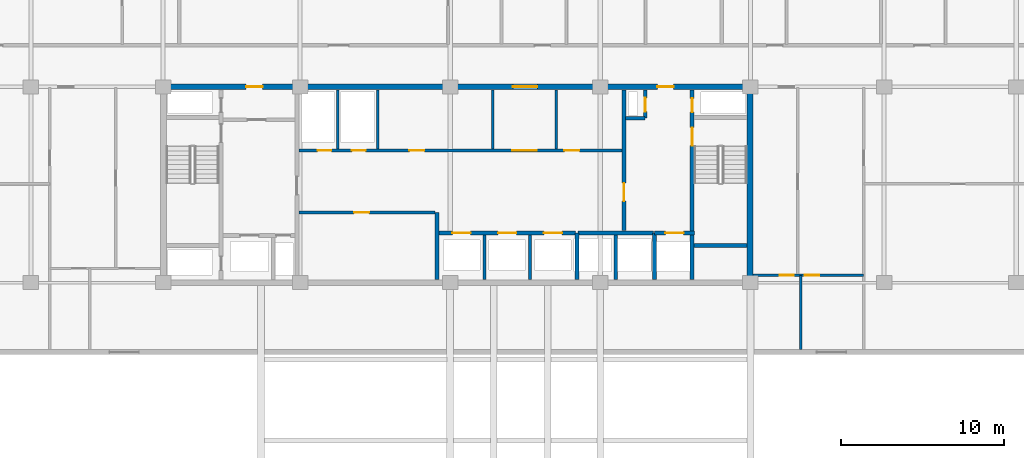
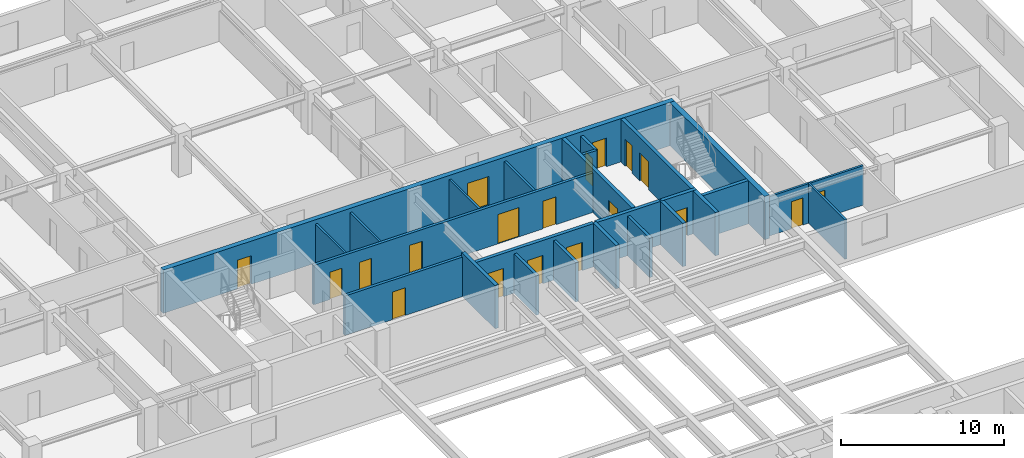
# One storey, part 11 of 21: 24 walls, 19 doors, 19 openings.
"""IFC4 building model written with IfcOpenShell, lengths in metres."""

from ifc_helpers import new_model, si_unit, direction, frame, frame_2d, origin, place, context, subcontext, project, spatial, rectangle, extrude, material, layer, layer_set, type_object, element, fill, save


model = new_model("IFC4")

# Units and contexts
model_context = context("Model", 3, precision=1e-05, world=origin(), true_north=direction((0.0, 1.0)))
body_context = subcontext(model_context, "Body", "Model", "MODEL_VIEW")
ifc_project = project(units=[si_unit("LENGTHUNIT", "METRE"), si_unit("AREAUNIT", "SQUARE_METRE"), si_unit("VOLUMEUNIT", "CUBIC_METRE"), si_unit("PLANEANGLEUNIT", "RADIAN"), si_unit("MASSUNIT", "GRAM", prefix="KILO")], contexts=[model_context])

# Site, building, storey
site_placement = place(None, origin())
site = spatial("IfcSite", under=ifc_project, at=site_placement, CompositionType="ELEMENT")
building_placement = place(site_placement, origin())
building = spatial("IfcBuilding", under=site, at=building_placement, Name="Korimba Cascade Residences", CompositionType="ELEMENT")
storey_placement = place(building_placement, frame((0.0, 0.0, 136.050048828125)))
storey = spatial("IfcBuildingStorey", under=building, at=storey_placement, Name="L39", CompositionType="ELEMENT", Elevation=136.050048828125)

# Wall
ifc_material_1 = material(Name="Concrete C65/80", Category="concrete")
ifc_layer_1 = layer(ifc_material_1, 0.35009765625)
ifc_layer_set_1 = layer_set([ifc_layer_1], Name="Concrete C65/80")
wall_type_1 = type_object("IfcWallType", Name="WAL-CORE-350", PredefinedType="SHEAR", material=ifc_layer_set_1)
wall_1_placement = place(storey_placement, frame((112.074951171875, 55.375, 0.0), z_axis=(0.0, 0.0, 1.0), x_axis=(0.0, 1.0, 0.0)))
element("IfcWall", 1, at=wall_1_placement, inside=storey, type_object=wall_type_1, Name="L39 Core Shear Wall CW-L39-T1-E", PredefinedType="SHEAR", context=body_context, shape_type="SweptSolid", body=[
    extrude(rectangle(XDim=11.64990234375, YDim=0.35009765625, at=frame_2d((5.824951171875, 0.0))), origin(), (0.0, 0.0, 1.0), 3.25),
])

# Wall, openings, doors
wall_2_placement = place(storey_placement, frame((75.949951171875, 67.199951171875, 0.0), z_axis=(0.0, 0.0, 1.0), x_axis=(1.0, 0.0, 0.0)))
wall_2 = element("IfcWall", 2, at=wall_2_placement, inside=storey, type_object=wall_type_1, Name="L39 Core Shear Wall CW-L39-T1-N", PredefinedType="SHEAR", context=body_context, shape_type="SweptSolid", body=[
    extrude(rectangle(XDim=36.300048828125, YDim=0.35009765625, at=frame_2d((18.14990234375, 0.0))), origin(), (0.0, 0.0, 1.0), 3.25),
])
opening_1_placement = place(wall_2_placement, frame((5.25, 0.0, 0.0)))
opening_1 = element("IfcOpeningElement", 3, at=opening_1_placement, cuts=wall_2, Name="Opening D-FD5", PredefinedType="OPENING", context=body_context, shape_type="SweptSolid", body=[
    extrude(rectangle(XDim=1.0, YDim=2.14990234375, at=frame_2d((0.5, 1.074951171875))), frame((0.0, 0.18505859375, 0.0), z_axis=(0.0, -1.0, 0.0), x_axis=(1.0, 0.0, 0.0)), (0.0, 0.0, 1.0), 0.3701171875),
])
opening_2_placement = place(wall_2_placement, frame((21.60009765625, 0.0, 0.0)))
opening_2 = element("IfcOpeningElement", 4, at=opening_2_placement, cuts=wall_2, Name="Opening D-FD8", PredefinedType="OPENING", context=body_context, shape_type="SweptSolid", body=[
    extrude(rectangle(XDim=1.5, YDim=2.199951171875, at=frame_2d((0.75, 1.10009765625))), frame((0.0, 0.18505859375, 0.0), z_axis=(0.0, -1.0, 0.0), x_axis=(1.0, 0.0, 0.0)), (0.0, 0.0, 1.0), 0.3701171875),
])
opening_3_placement = place(wall_2_placement, frame((30.449951171875, 0.0, 0.0)))
opening_3 = element("IfcOpeningElement", 5, at=opening_3_placement, cuts=wall_2, Name="Opening D-FD5", PredefinedType="OPENING", context=body_context, shape_type="SweptSolid", body=[
    extrude(rectangle(XDim=1.0, YDim=2.14990234375, at=frame_2d((0.5, 1.074951171875))), frame((0.0, 0.18505859375, 0.0), z_axis=(0.0, -1.0, 0.0), x_axis=(1.0, 0.0, 0.0)), (0.0, 0.0, 1.0), 0.3701171875),
])
ifc_material_2 = material(Name="Fire-Rated Acoustic Timber Vestibule Door", Category="wood")
door_type_1 = type_object("IfcDoorType", Name="DR-FD90-1000", OperationType="NOTDEFINED", PredefinedType="DOOR", material=ifc_material_2)
door_1_placement = place(opening_1_placement, origin())
door_1 = element("IfcDoor", 6, at=door_1_placement, inside=storey, type_object=door_type_1, Name="L39 T1 West Core Vestibule Fire Door", OperationType="SINGLE_SWING_LEFT", OverallHeight=2.14990234375, OverallWidth=1.0, PredefinedType="DOOR", context=body_context, shape_type="SweptSolid", body=[
    extrude(rectangle(XDim=1.0, YDim=2.14990234375, at=frame_2d((0.5, 1.074951171875))), frame((0.0, 0.02490234375, 0.0), z_axis=(0.0, -1.0, 0.0), x_axis=(1.0, 0.0, 0.0)), (0.0, 0.0, 1.0), 0.050048828125),
])
fill(opening_1, door_1)
door_2_placement = place(opening_3_placement, origin())
door_2 = element("IfcDoor", 7, at=door_2_placement, inside=storey, type_object=door_type_1, Name="L39 T1 East Firefighting Vestibule Fire Door", OperationType="SINGLE_SWING_RIGHT", OverallHeight=2.14990234375, OverallWidth=1.0, PredefinedType="DOOR", context=body_context, shape_type="SweptSolid", body=[
    extrude(rectangle(XDim=1.0, YDim=2.14990234375, at=frame_2d((0.5, 1.074951171875))), frame((0.0, 0.02490234375, 0.0), z_axis=(0.0, -1.0, 0.0), x_axis=(1.0, 0.0, 0.0)), (0.0, 0.0, 1.0), 0.050048828125),
])
fill(opening_3, door_2)
ifc_material_3 = material(Name="Fire-Rated Glazed Lift Lobby Double Door", Category="glass")
door_type_2 = type_object("IfcDoorType", Name="DR-FD90-1500", OperationType="NOTDEFINED", PredefinedType="DOOR", material=ifc_material_3)
door_3_placement = place(opening_2_placement, origin())
door_3 = element("IfcDoor", 8, at=door_3_placement, inside=storey, type_object=door_type_2, Name="L39 T1 Lift Lobby Fire Door", OperationType="DOUBLE_DOOR_SINGLE_SWING", OverallHeight=2.199951171875, OverallWidth=1.5, PredefinedType="DOOR", context=body_context, shape_type="SweptSolid", body=[
    extrude(rectangle(XDim=1.5, YDim=2.199951171875, at=frame_2d((0.75, 1.10009765625))), frame((0.0, 0.02490234375, 0.0), z_axis=(0.0, -1.0, 0.0), x_axis=(1.0, 0.0, 0.0)), (0.0, 0.0, 1.0), 0.050048828125),
])
fill(opening_2, door_3)

# Walls
ifc_material_4 = material(Name="Insulated Acoustic Stud Partition", Category="gypsum")
ifc_layer_2 = layer(ifc_material_4, 0.14990234375)
ifc_layer_set_2 = layer_set([ifc_layer_2], Name="Insulated Acoustic Stud Partition")
wall_type_2 = type_object("IfcWallType", Name="WAL-PART-150", PredefinedType="PARTITIONING", material=ifc_layer_set_2)
for number, where, z_axis, x_axis, name in (
    (9, (86.800048828125, 63.39990234375, 0.0), (0.0, 0.0, 1.0), (0.0, 1.0, 0.0), "L39 Partition Wall CW-L39-T1-ERDIV"),
    (10, (89.25, 63.39990234375, 0.0), (0.0, 0.0, 1.0), (0.0, 1.0, 0.0), "L39 Partition Wall CW-L39-T1-PRDIV"),
    (11, (96.300048828125, 63.39990234375, 0.0), (0.0, 0.0, 1.0), (0.0, 1.0, 0.0), "L39 Partition Wall CW-L39-T1-THW"),
    (12, (100.199951171875, 63.39990234375, 0.0), (0.0, 0.0, 1.0), (0.0, 1.0, 0.0), "L39 Partition Wall CW-L39-T1-THE"),
):
    element("IfcWall", number, at=place(storey_placement, frame(where, z_axis=z_axis, x_axis=x_axis)), inside=storey, type_object=wall_type_2, Name=name, PredefinedType="PARTITIONING", context=body_context, shape_type="SweptSolid", body=[
        extrude(rectangle(XDim=3.60009765625, YDim=0.14990234375, at=frame_2d((1.800048828125, 0.0))), origin(), (0.0, 0.0, 1.0), 2.9599609375),
    ])
wall_3_placement = place(storey_placement, frame((115.199951171875, 51.10009765625, 0.0), z_axis=(0.0, 0.0, 1.0), x_axis=(0.0, 1.0, 0.0)))
element("IfcWall", 13, at=wall_3_placement, inside=storey, type_object=wall_type_2, Name="L39 Partition Wall WAL-L39-T1-FE-VS", PredefinedType="PARTITIONING", context=body_context, shape_type="SweptSolid", body=[
    extrude(rectangle(XDim=4.5498046875, YDim=0.14990234375, at=frame_2d((2.27490234375, 0.0))), origin(), (0.0, 0.0, 1.0), 2.9599609375),
])

# Wall, openings, doors
wall_4_placement = place(storey_placement, frame((112.27001953125, 55.64990234375, 0.0), z_axis=(0.0, 0.0, 1.0), x_axis=(1.0, 0.0, 0.0)))
wall_4 = element("IfcWall", 14, at=wall_4_placement, inside=storey, type_object=wall_type_2, Name="L39 Partition Wall WAL-L39-T1-FE-H", PredefinedType="PARTITIONING", context=body_context, shape_type="SweptSolid", body=[
    extrude(rectangle(XDim=6.760009765625, YDim=0.14990234375, at=frame_2d((3.3798828125, 0.0))), origin(), (0.0, 0.0, 1.0), 2.9599609375),
])
opening_4_placement = place(wall_4_placement, frame((1.6396484375, 0.0, 0.0)))
opening_4 = element("IfcOpeningElement", 15, at=opening_4_placement, cuts=wall_4, Name="Opening D-BT1", PredefinedType="OPENING", context=body_context, shape_type="SweptSolid", body=[
    extrude(rectangle(XDim=0.840087890625, YDim=2.0400390625, at=frame_2d((0.419921875, 1.02001953125))), frame((0.0, 0.0849609375, 0.0), z_axis=(0.0, -1.0, 0.0), x_axis=(1.0, 0.0, 0.0)), (0.0, 0.0, 1.0), 0.169921875),
])
opening_5_placement = place(wall_4_placement, frame((3.160400390625, 0.0, 0.0)))
opening_5 = element("IfcOpeningElement", 16, at=opening_5_placement, cuts=wall_4, Name="Opening D-IN2", PredefinedType="OPENING", context=body_context, shape_type="SweptSolid", body=[
    extrude(rectangle(XDim=0.8798828125, YDim=2.06005859375, at=frame_2d((0.43994140625, 1.030029296875))), frame((0.0, 0.0849609375, 0.0), z_axis=(0.0, -1.0, 0.0), x_axis=(1.0, 0.0, 0.0)), (0.0, 0.0, 1.0), 0.169921875),
])
ifc_material_5 = material(Name="Moisture-Resistant Bathroom Timber Door", Category="wood")
door_type_3 = type_object("IfcDoorType", Name="DR-INT-850", OperationType="NOTDEFINED", PredefinedType="DOOR", material=ifc_material_5)
door_4_placement = place(opening_4_placement, origin())
door_4 = element("IfcDoor", 17, at=door_4_placement, inside=storey, type_object=door_type_3, Name="L39-T1-FE Bathroom Door", OperationType="SINGLE_SWING_LEFT", OverallHeight=2.0400390625, OverallWidth=0.840087890625, PredefinedType="DOOR", context=body_context, shape_type="SweptSolid", body=[
    extrude(rectangle(XDim=0.840087890625, YDim=2.0400390625, at=frame_2d((0.419921875, 1.02001953125))), frame((0.0, 0.02490234375, 0.0), z_axis=(0.0, -1.0, 0.0), x_axis=(1.0, 0.0, 0.0)), (0.0, 0.0, 1.0), 0.050048828125),
])
fill(opening_4, door_4)
ifc_material_6 = material(Name="Acoustic Timber Bedroom Door", Category="wood")
door_type_4 = type_object("IfcDoorType", Name="DR-INT-880", OperationType="NOTDEFINED", PredefinedType="DOOR", material=ifc_material_6)
door_5_placement = place(opening_5_placement, origin())
door_5 = element("IfcDoor", 18, at=door_5_placement, inside=storey, type_object=door_type_4, Name="L39-T1-FE Bedroom Door", OperationType="SINGLE_SWING_RIGHT", OverallHeight=2.06005859375, OverallWidth=0.8798828125, PredefinedType="DOOR", context=body_context, shape_type="SweptSolid", body=[
    extrude(rectangle(XDim=0.8798828125, YDim=2.06005859375, at=frame_2d((0.43994140625, 1.030029296875))), frame((0.0, 0.02490234375, 0.0), z_axis=(0.0, -1.0, 0.0), x_axis=(1.0, 0.0, 0.0)), (0.0, 0.0, 1.0), 0.050048828125),
])
fill(opening_5, door_5)

# Wall, opening, door
ifc_material_7 = material(Name="Concrete C40/50", Category="concrete")
ifc_layer_3 = layer(ifc_material_7, 0.199951171875)
ifc_layer_set_3 = layer_set([ifc_layer_3], Name="Concrete C40/50")
wall_type_3 = type_object("IfcWallType", Name="WAL-PART-200", PredefinedType="PARTITIONING", material=ifc_layer_set_3)
wall_5_placement = place(storey_placement, frame((84.419921875, 59.5, 0.0), z_axis=(0.0, 0.0, 1.0), x_axis=(1.0, 0.0, 0.0)))
wall_5 = element("IfcWall", 19, at=wall_5_placement, inside=storey, type_object=wall_type_3, Name="L39 Partition Wall CW-L39-T1-B1RN", PredefinedType="PARTITIONING", context=body_context, shape_type="SweptSolid", body=[
    extrude(rectangle(XDim=8.360107421875, YDim=0.199951171875, at=frame_2d((4.18017578125, 0.0))), origin(), (0.0, 0.0, 1.0), 2.9599609375),
])
opening_6_placement = place(wall_5_placement, frame((3.39990234375, 0.0, 0.0)))
opening_6 = element("IfcOpeningElement", 20, at=opening_6_placement, cuts=wall_5, Name="Opening D-ST1", PredefinedType="OPENING", context=body_context, shape_type="SweptSolid", body=[
    extrude(rectangle(XDim=0.919921875, YDim=2.080078125, at=frame_2d((0.4599609375, 1.0400390625))), frame((0.0, 0.10986328125, 0.0), z_axis=(0.0, -1.0, 0.0), x_axis=(1.0, 0.0, 0.0)), (0.0, 0.0, 1.0), 0.219970703125),
])
ifc_material_8 = material(Name="Fire-Rated Core Store Door", Category="wood")
door_type_5 = type_object("IfcDoorType", Name="DR-FD60-920", OperationType="NOTDEFINED", PredefinedType="DOOR", material=ifc_material_8)
door_6_placement = place(opening_6_placement, origin())
door_6 = element("IfcDoor", 21, at=door_6_placement, inside=storey, type_object=door_type_5, Name="L39 Resident Storage Door", OperationType="SINGLE_SWING_LEFT", OverallHeight=2.080078125, OverallWidth=0.919921875, PredefinedType="DOOR", context=body_context, shape_type="SweptSolid", body=[
    extrude(rectangle(XDim=0.919921875, YDim=2.080078125, at=frame_2d((0.4599609375, 1.0400390625))), frame((0.0, 0.02490234375, 0.0), z_axis=(0.0, -1.0, 0.0), x_axis=(1.0, 0.0, 0.0)), (0.0, 0.0, 1.0), 0.050048828125),
])
fill(opening_6, door_6)

# Walls
for number, where, z_axis, x_axis, name in (
    (22, (95.800048828125, 55.39990234375, 0.0), (0.0, 0.0, 1.0), (0.0, 1.0, 0.0), "L39 Partition Wall CW-L39-T1-B2D1"),
    (23, (98.60009765625, 55.39990234375, 0.0), (0.0, 0.0, 1.0), (0.0, 1.0, 0.0), "L39 Partition Wall CW-L39-T1-B2D2"),
    (24, (103.85009765625, 55.39990234375, 0.0), (0.0, 0.0, 1.0), (0.0, 1.0, 0.0), "L39 Partition Wall CW-L39-T1-B3D1"),
):
    element("IfcWall", number, at=place(storey_placement, frame(where, z_axis=z_axis, x_axis=x_axis)), inside=storey, type_object=wall_type_3, Name=name, PredefinedType="PARTITIONING", context=body_context, shape_type="SweptSolid", body=[
        extrude(rectangle(XDim=2.72021484375, YDim=0.199951171875, at=frame_2d((1.360107421875, 0.0))), origin(), (0.0, 0.0, 1.0), 2.9599609375),
    ])

# Wall, openings, doors
wall_6_placement = place(storey_placement, frame((84.419921875, 63.300048828125, 0.0), z_axis=(0.0, 0.0, 1.0), x_axis=(1.0, 0.0, 0.0)))
wall_6 = element("IfcWall", 25, at=wall_6_placement, inside=storey, type_object=wall_type_3, Name="L39 Partition Wall CW-L39-T1-SRVROW", PredefinedType="PARTITIONING", context=body_context, shape_type="SweptSolid", body=[
    extrude(rectangle(XDim=19.830078125, YDim=0.199951171875, at=frame_2d((9.9150390625, 0.0))), origin(), (0.0, 0.0, 1.0), 2.9599609375),
])
opening_7_placement = place(wall_6_placement, frame((1.14990234375, 0.0, 0.0)))
opening_7 = element("IfcOpeningElement", 26, at=opening_7_placement, cuts=wall_6, Name="Opening D-RS1", PredefinedType="OPENING", context=body_context, shape_type="SweptSolid", body=[
    extrude(rectangle(XDim=0.85009765625, YDim=2.050048828125, at=frame_2d((0.425048828125, 1.02490234375))), frame((0.0, 0.10986328125, 0.0), z_axis=(0.0, -1.0, 0.0), x_axis=(1.0, 0.0, 0.0)), (0.0, 0.0, 1.0), 0.219970703125),
])
opening_8_placement = place(wall_6_placement, frame((3.25, 0.0, 0.0)))
opening_8 = element("IfcOpeningElement", 27, at=opening_8_placement, cuts=wall_6, Name="Opening D-RS1", PredefinedType="OPENING", context=body_context, shape_type="SweptSolid", body=[
    extrude(rectangle(XDim=0.85009765625, YDim=2.050048828125, at=frame_2d((0.425048828125, 1.02490234375))), frame((0.0, 0.10986328125, 0.0), z_axis=(0.0, -1.0, 0.0), x_axis=(1.0, 0.0, 0.0)), (0.0, 0.0, 1.0), 0.219970703125),
])
opening_9_placement = place(wall_6_placement, frame((13.080078125, 0.0, 0.0)))
opening_9 = element("IfcOpeningElement", 28, at=opening_9_placement, cuts=wall_6, Name="Opening D-FD8", PredefinedType="OPENING", context=body_context, shape_type="SweptSolid", body=[
    extrude(rectangle(XDim=1.5, YDim=2.199951171875, at=frame_2d((0.75, 1.10009765625))), frame((0.0, 0.10986328125, 0.0), z_axis=(0.0, -1.0, 0.0), x_axis=(1.0, 0.0, 0.0)), (0.0, 0.0, 1.0), 0.219970703125),
])
opening_10_placement = place(wall_6_placement, frame((6.780029296875, 0.0, 0.0)))
opening_10 = element("IfcOpeningElement", 29, at=opening_10_placement, cuts=wall_6, Name="Opening D-IN1", PredefinedType="OPENING", context=body_context, shape_type="SweptSolid", body=[
    extrude(rectangle(XDim=0.919921875, YDim=2.080078125, at=frame_2d((0.4599609375, 1.0400390625))), frame((0.0, 0.10986328125, 0.0), z_axis=(0.0, -1.0, 0.0), x_axis=(1.0, 0.0, 0.0)), (0.0, 0.0, 1.0), 0.219970703125),
])
opening_11_placement = place(wall_6_placement, frame((16.280029296875, 0.0, 0.0)))
opening_11 = element("IfcOpeningElement", 30, at=opening_11_placement, cuts=wall_6, Name="Opening D-IN1", PredefinedType="OPENING", context=body_context, shape_type="SweptSolid", body=[
    extrude(rectangle(XDim=0.919921875, YDim=2.080078125, at=frame_2d((0.4599609375, 1.0400390625))), frame((0.0, 0.10986328125, 0.0), z_axis=(0.0, -1.0, 0.0), x_axis=(1.0, 0.0, 0.0)), (0.0, 0.0, 1.0), 0.219970703125),
])
ifc_material_9 = material(Name="Fire-Rated Steel Riser Access Door", Category="steel")
door_type_6 = type_object("IfcDoorType", Name="DR-FD60-850", OperationType="NOTDEFINED", PredefinedType="DOOR", material=ifc_material_9)
door_7_placement = place(opening_7_placement, origin())
door_7 = element("IfcDoor", 31, at=door_7_placement, inside=storey, type_object=door_type_6, Name="L39 Electrical Riser Door", OperationType="SINGLE_SWING_RIGHT", OverallHeight=2.050048828125, OverallWidth=0.85009765625, PredefinedType="DOOR", context=body_context, shape_type="SweptSolid", body=[
    extrude(rectangle(XDim=0.85009765625, YDim=2.050048828125, at=frame_2d((0.425048828125, 1.02490234375))), frame((0.0, 0.02490234375, 0.0), z_axis=(0.0, -1.0, 0.0), x_axis=(1.0, 0.0, 0.0)), (0.0, 0.0, 1.0), 0.050048828125),
])
fill(opening_7, door_7)
door_8_placement = place(opening_8_placement, origin())
door_8 = element("IfcDoor", 32, at=door_8_placement, inside=storey, type_object=door_type_6, Name="L39 Plumbing Riser Door", OperationType="SINGLE_SWING_LEFT", OverallHeight=2.050048828125, OverallWidth=0.85009765625, PredefinedType="DOOR", context=body_context, shape_type="SweptSolid", body=[
    extrude(rectangle(XDim=0.85009765625, YDim=2.050048828125, at=frame_2d((0.425048828125, 1.02490234375))), frame((0.0, 0.02490234375, 0.0), z_axis=(0.0, -1.0, 0.0), x_axis=(1.0, 0.0, 0.0)), (0.0, 0.0, 1.0), 0.050048828125),
])
fill(opening_8, door_8)
door_9_placement = place(opening_9_placement, origin())
door_9 = element("IfcDoor", 33, at=door_9_placement, inside=storey, type_object=door_type_2, Name="L39 Lift Lobby Foyer Archway Door", OperationType="DOUBLE_DOOR_SINGLE_SWING", OverallHeight=2.199951171875, OverallWidth=1.5, PredefinedType="DOOR", context=body_context, shape_type="SweptSolid", body=[
    extrude(rectangle(XDim=1.5, YDim=2.199951171875, at=frame_2d((0.75, 1.10009765625))), frame((0.0, 0.02490234375, 0.0), z_axis=(0.0, -1.0, 0.0), x_axis=(1.0, 0.0, 0.0)), (0.0, 0.0, 1.0), 0.050048828125),
])
fill(opening_9, door_9)
ifc_material_10 = material(Name="Acoustic Timber Living Door", Category="wood")
door_type_7 = type_object("IfcDoorType", Name="DR-INT-920", OperationType="NOTDEFINED", PredefinedType="DOOR", material=ifc_material_10)
door_10_placement = place(opening_10_placement, origin())
door_10 = element("IfcDoor", 34, at=door_10_placement, inside=storey, type_object=door_type_7, Name="L39 Housekeeping Door", OperationType="SINGLE_SWING_RIGHT", OverallHeight=2.080078125, OverallWidth=0.919921875, PredefinedType="DOOR", context=body_context, shape_type="SweptSolid", body=[
    extrude(rectangle(XDim=0.919921875, YDim=2.080078125, at=frame_2d((0.4599609375, 1.0400390625))), frame((0.0, 0.02490234375, 0.0), z_axis=(0.0, -1.0, 0.0), x_axis=(1.0, 0.0, 0.0)), (0.0, 0.0, 1.0), 0.050048828125),
])
fill(opening_10, door_10)
door_11_placement = place(opening_11_placement, origin())
door_11 = element("IfcDoor", 35, at=door_11_placement, inside=storey, type_object=door_type_7, Name="L39 Store Door", OperationType="SINGLE_SWING_LEFT", OverallHeight=2.080078125, OverallWidth=0.919921875, PredefinedType="DOOR", context=body_context, shape_type="SweptSolid", body=[
    extrude(rectangle(XDim=0.919921875, YDim=2.080078125, at=frame_2d((0.4599609375, 1.0400390625))), frame((0.0, 0.02490234375, 0.0), z_axis=(0.0, -1.0, 0.0), x_axis=(1.0, 0.0, 0.0)), (0.0, 0.0, 1.0), 0.050048828125),
])
fill(opening_11, door_11)

# Wall
wall_7_placement = place(storey_placement, frame((104.449951171875, 65.280029296875, 0.0), z_axis=(0.0, 0.0, 1.0), x_axis=(1.0, 0.0, 0.0)))
element("IfcWall", 36, at=wall_7_placement, inside=storey, type_object=wall_type_3, Name="L39 Partition Wall CW-L39-T1-HYDW2S", PredefinedType="PARTITIONING", context=body_context, shape_type="SweptSolid", body=[
    extrude(rectangle(XDim=1.199951171875, YDim=0.199951171875, at=frame_2d((0.60009765625, 0.0))), origin(), (0.0, 0.0, 1.0), 2.9599609375),
])

# Wall, opening, door
wall_8_placement = place(storey_placement, frame((105.64990234375, 65.280029296875, 0.0), z_axis=(0.0, 0.0, 1.0), x_axis=(0.0, 1.0, 0.0)))
wall_8 = element("IfcWall", 37, at=wall_8_placement, inside=storey, type_object=wall_type_3, Name="L39 Partition Wall CW-L39-T1-HYDW2E", PredefinedType="PARTITIONING", context=body_context, shape_type="SweptSolid", body=[
    extrude(rectangle(XDim=1.719970703125, YDim=0.199951171875, at=frame_2d((0.85986328125, 0.0))), origin(), (0.0, 0.0, 1.0), 2.9599609375),
])
opening_12_placement = place(wall_8_placement, frame((0.39990234375, 0.0, 0.0)))
opening_12 = element("IfcOpeningElement", 38, at=opening_12_placement, cuts=wall_8, Name="Opening D-RS1", PredefinedType="OPENING", context=body_context, shape_type="SweptSolid", body=[
    extrude(rectangle(XDim=0.85009765625, YDim=2.050048828125, at=frame_2d((0.425048828125, 1.02490234375))), frame((0.0, 0.10986328125, 0.0), z_axis=(0.0, -1.0, 0.0), x_axis=(1.0, 0.0, 0.0)), (0.0, 0.0, 1.0), 0.219970703125),
])
door_12_placement = place(opening_12_placement, origin())
door_12 = element("IfcDoor", 39, at=door_12_placement, inside=storey, type_object=door_type_6, Name="L39 East Hydrant Door", OperationType="SINGLE_SWING_RIGHT", OverallHeight=2.050048828125, OverallWidth=0.85009765625, PredefinedType="DOOR", context=body_context, shape_type="SweptSolid", body=[
    extrude(rectangle(XDim=0.85009765625, YDim=2.050048828125, at=frame_2d((0.425048828125, 1.02490234375))), frame((0.0, 0.02490234375, 0.0), z_axis=(0.0, -1.0, 0.0), x_axis=(1.0, 0.0, 0.0)), (0.0, 0.0, 1.0), 0.050048828125),
])
fill(opening_12, door_12)

# Wall
ifc_material_11 = material(Name="Concrete C50/60", Category="concrete")
ifc_layer_4 = layer(ifc_material_11, 0.25)
ifc_layer_set_4 = layer_set([ifc_layer_4], Name="Concrete C50/60")
wall_type_4 = type_object("IfcWallType", Name="WAL-SHAFT-250", PredefinedType="SHEAR", material=ifc_layer_set_4)
wall_9_placement = place(storey_placement, frame((92.89990234375, 55.39990234375, 0.0), z_axis=(0.0, 0.0, 1.0), x_axis=(0.0, 1.0, 0.0)))
element("IfcWall", 40, at=wall_9_placement, inside=storey, type_object=wall_type_4, Name="L39 Core Shear Wall CW-L39-T1-B12DIV", PredefinedType="SHEAR", context=body_context, shape_type="SweptSolid", body=[
    extrude(rectangle(XDim=4.10009765625, YDim=0.25, at=frame_2d((2.050048828125, 0.0))), origin(), (0.0, 0.0, 1.0), 3.25),
])

# Wall, openings, doors
wall_10_placement = place(storey_placement, frame((93.02001953125, 58.25, 0.0), z_axis=(0.0, 0.0, 1.0), x_axis=(1.0, 0.0, 0.0)))
wall_10 = element("IfcWall", 41, at=wall_10_placement, inside=storey, type_object=wall_type_4, Name="L39 Core Shear Wall CW-L39-T1-B2N", PredefinedType="SHEAR", context=body_context, shape_type="SweptSolid", body=[
    extrude(rectangle(XDim=8.35986328125, YDim=0.25, at=frame_2d((4.179931640625, 0.0))), origin(), (0.0, 0.0, 1.0), 3.25),
])
opening_13_placement = place(wall_10_placement, frame((0.820068359375, 0.0, 0.0)))
opening_13 = element("IfcOpeningElement", 42, at=opening_13_placement, cuts=wall_10, Name="Opening LD-01", PredefinedType="OPENING", context=body_context, shape_type="SweptSolid", body=[
    extrude(rectangle(XDim=1.1201171875, YDim=2.1201171875, at=frame_2d((0.56005859375, 1.06005859375))), frame((0.0, 0.135009765625, 0.0), z_axis=(0.0, -1.0, 0.0), x_axis=(1.0, 0.0, 0.0)), (0.0, 0.0, 1.0), 0.27001953125),
])
opening_14_placement = place(wall_10_placement, frame((3.6201171875, 0.0, 0.0)))
opening_14 = element("IfcOpeningElement", 43, at=opening_14_placement, cuts=wall_10, Name="Opening LD-01", PredefinedType="OPENING", context=body_context, shape_type="SweptSolid", body=[
    extrude(rectangle(XDim=1.1201171875, YDim=2.1201171875, at=frame_2d((0.56005859375, 1.06005859375))), frame((0.0, 0.135009765625, 0.0), z_axis=(0.0, -1.0, 0.0), x_axis=(1.0, 0.0, 0.0)), (0.0, 0.0, 1.0), 0.27001953125),
])
opening_15_placement = place(wall_10_placement, frame((6.419921875, 0.0, 0.0)))
opening_15 = element("IfcOpeningElement", 44, at=opening_15_placement, cuts=wall_10, Name="Opening LD-01", PredefinedType="OPENING", context=body_context, shape_type="SweptSolid", body=[
    extrude(rectangle(XDim=1.1201171875, YDim=2.1201171875, at=frame_2d((0.56005859375, 1.06005859375))), frame((0.0, 0.135009765625, 0.0), z_axis=(0.0, -1.0, 0.0), x_axis=(1.0, 0.0, 0.0)), (0.0, 0.0, 1.0), 0.27001953125),
])
ifc_material_12 = material(Name="Stainless Steel Lift Landing Sliding Door", Category="steel")
door_type_8 = type_object("IfcDoorType", Name="DR-LIFT-1100", OperationType="NOTDEFINED", PredefinedType="DOOR", material=ifc_material_12)
door_13_placement = place(opening_13_placement, origin())
door_13 = element("IfcDoor", 45, at=door_13_placement, inside=storey, type_object=door_type_8, Name="L39 Lift Landing Door PL-W4", OperationType="SLIDING_TO_RIGHT", OverallHeight=2.1201171875, OverallWidth=1.1201171875, PredefinedType="DOOR", context=body_context, shape_type="SweptSolid", body=[
    extrude(rectangle(XDim=1.1201171875, YDim=2.1201171875, at=frame_2d((0.56005859375, 1.06005859375))), frame((0.0, 0.02490234375, 0.0), z_axis=(0.0, -1.0, 0.0), x_axis=(1.0, 0.0, 0.0)), (0.0, 0.0, 1.0), 0.050048828125),
])
fill(opening_13, door_13)
door_14_placement = place(opening_14_placement, origin())
door_14 = element("IfcDoor", 46, at=door_14_placement, inside=storey, type_object=door_type_8, Name="L39 Lift Landing Door PL-W5", OperationType="SLIDING_TO_RIGHT", OverallHeight=2.1201171875, OverallWidth=1.1201171875, PredefinedType="DOOR", context=body_context, shape_type="SweptSolid", body=[
    extrude(rectangle(XDim=1.1201171875, YDim=2.1201171875, at=frame_2d((0.56005859375, 1.06005859375))), frame((0.0, 0.02490234375, 0.0), z_axis=(0.0, -1.0, 0.0), x_axis=(1.0, 0.0, 0.0)), (0.0, 0.0, 1.0), 0.050048828125),
])
fill(opening_14, door_14)
door_15_placement = place(opening_15_placement, origin())
door_15 = element("IfcDoor", 47, at=door_15_placement, inside=storey, type_object=door_type_8, Name="L39 Lift Landing Door PL-W6", OperationType="SLIDING_TO_RIGHT", OverallHeight=2.1201171875, OverallWidth=1.1201171875, PredefinedType="DOOR", context=body_context, shape_type="SweptSolid", body=[
    extrude(rectangle(XDim=1.1201171875, YDim=2.1201171875, at=frame_2d((0.56005859375, 1.06005859375))), frame((0.0, 0.02490234375, 0.0), z_axis=(0.0, -1.0, 0.0), x_axis=(1.0, 0.0, 0.0)), (0.0, 0.0, 1.0), 0.050048828125),
])
fill(opening_15, door_15)

# Walls
wall_11_placement = place(storey_placement, frame((101.47998046875, 55.39990234375, 0.0), z_axis=(0.0, 0.0, 1.0), x_axis=(0.0, 1.0, 0.0)))
element("IfcWall", 48, at=wall_11_placement, inside=storey, type_object=wall_type_4, Name="L39 Core Shear Wall CW-L39-T1-B23DIV", PredefinedType="SHEAR", context=body_context, shape_type="SweptSolid", body=[
    extrude(rectangle(XDim=2.85009765625, YDim=0.25, at=frame_2d((1.425048828125, 0.0))), origin(), (0.0, 0.0, 1.0), 3.25),
])
wall_12_placement = place(storey_placement, frame((101.550048828125, 58.25, 0.0), z_axis=(0.0, 0.0, 1.0), x_axis=(1.0, 0.0, 0.0)))
element("IfcWall", 49, at=wall_12_placement, inside=storey, type_object=wall_type_4, Name="L39 Core Shear Wall CW-L39-T1-B3N", PredefinedType="SHEAR", context=body_context, shape_type="SweptSolid", body=[
    extrude(rectangle(XDim=4.599853515625, YDim=0.25, at=frame_2d((2.2998046875, 0.0))), origin(), (0.0, 0.0, 1.0), 3.25),
])
wall_13_placement = place(storey_placement, frame((106.219970703125, 55.39990234375, 0.0), z_axis=(0.0, 0.0, 1.0), x_axis=(0.0, 1.0, 0.0)))
element("IfcWall", 50, at=wall_13_placement, inside=storey, type_object=wall_type_4, Name="L39 Core Shear Wall CW-L39-T1-FF2W", PredefinedType="SHEAR", context=body_context, shape_type="SweptSolid", body=[
    extrude(rectangle(XDim=2.85009765625, YDim=0.25, at=frame_2d((1.425048828125, 0.0))), origin(), (0.0, 0.0, 1.0), 3.25),
])

# Wall, opening, door
wall_14_placement = place(storey_placement, frame((106.219970703125, 58.25, 0.0), z_axis=(0.0, 0.0, 1.0), x_axis=(1.0, 0.0, 0.0)))
wall_14 = element("IfcWall", 51, at=wall_14_placement, inside=storey, type_object=wall_type_4, Name="L39 Core Shear Wall CW-L39-T1-FF2N", PredefinedType="SHEAR", context=body_context, shape_type="SweptSolid", body=[
    extrude(rectangle(XDim=2.4599609375, YDim=0.25, at=frame_2d((1.22998046875, 0.0))), origin(), (0.0, 0.0, 1.0), 3.25),
])
opening_16_placement = place(wall_14_placement, frame((0.669921875, 0.0, 0.0)))
opening_16 = element("IfcOpeningElement", 52, at=opening_16_placement, cuts=wall_14, Name="Opening LD-01", PredefinedType="OPENING", context=body_context, shape_type="SweptSolid", body=[
    extrude(rectangle(XDim=1.1201171875, YDim=2.1201171875, at=frame_2d((0.56005859375, 1.06005859375))), frame((0.0, 0.135009765625, 0.0), z_axis=(0.0, -1.0, 0.0), x_axis=(1.0, 0.0, 0.0)), (0.0, 0.0, 1.0), 0.27001953125),
])
door_16_placement = place(opening_16_placement, origin())
door_16 = element("IfcDoor", 53, at=door_16_placement, inside=storey, type_object=door_type_8, Name="L39 Firefighting Lift Landing Door FFL-W2", OperationType="SLIDING_TO_RIGHT", OverallHeight=2.1201171875, OverallWidth=1.1201171875, PredefinedType="DOOR", context=body_context, shape_type="SweptSolid", body=[
    extrude(rectangle(XDim=1.1201171875, YDim=2.1201171875, at=frame_2d((0.56005859375, 1.06005859375))), frame((0.0, 0.02490234375, 0.0), z_axis=(0.0, -1.0, 0.0), x_axis=(1.0, 0.0, 0.0)), (0.0, 0.0, 1.0), 0.050048828125),
])
fill(opening_16, door_16)

wall_15_placement = place(storey_placement, frame((104.35009765625, 58.39990234375, 0.0), z_axis=(0.0, 0.0, 1.0), x_axis=(0.0, 1.0, 0.0)))
wall_15 = element("IfcWall", 54, at=wall_15_placement, inside=storey, type_object=wall_type_4, Name="L39 Core Shear Wall CW-L39-T1-LLEV", PredefinedType="SHEAR", context=body_context, shape_type="SweptSolid", body=[
    extrude(rectangle(XDim=8.60009765625, YDim=0.25, at=frame_2d((4.300048828125, 0.0))), origin(), (0.0, 0.0, 1.0), 3.25),
])
opening_17_placement = place(wall_15_placement, frame((1.800048828125, 0.0, 0.0)))
opening_17 = element("IfcOpeningElement", 55, at=opening_17_placement, cuts=wall_15, Name="Opening D-FD1", PredefinedType="OPENING", context=body_context, shape_type="SweptSolid", body=[
    extrude(rectangle(XDim=1.10009765625, YDim=2.10009765625, at=frame_2d((0.550048828125, 1.050048828125))), frame((0.0, 0.135009765625, 0.0), z_axis=(0.0, -1.0, 0.0), x_axis=(1.0, 0.0, 0.0)), (0.0, 0.0, 1.0), 0.27001953125),
])
ifc_material_13 = material(Name="Fire-Rated Steel Core Door", Category="steel")
door_type_9 = type_object("IfcDoorType", Name="DR-FD120-1100", OperationType="NOTDEFINED", PredefinedType="DOOR", material=ifc_material_13)
door_17_placement = place(opening_17_placement, origin())
door_17 = element("IfcDoor", 56, at=door_17_placement, inside=storey, type_object=door_type_9, Name="L39 Lift Lobby to East Firefighting Lobby Door", OperationType="SINGLE_SWING_LEFT", OverallHeight=2.10009765625, OverallWidth=1.10009765625, PredefinedType="DOOR", context=body_context, shape_type="SweptSolid", body=[
    extrude(rectangle(XDim=1.10009765625, YDim=2.10009765625, at=frame_2d((0.550048828125, 1.050048828125))), frame((0.0, 0.02490234375, 0.0), z_axis=(0.0, -1.0, 0.0), x_axis=(1.0, 0.0, 0.0)), (0.0, 0.0, 1.0), 0.050048828125),
])
fill(opening_17, door_17)

# Wall, openings, doors
wall_16_placement = place(storey_placement, frame((108.534912109375, 55.39990234375, 0.0), z_axis=(0.0, 0.0, 1.0), x_axis=(0.0, 1.0, 0.0)))
wall_16 = element("IfcWall", 57, at=wall_16_placement, inside=storey, type_object=wall_type_4, Name="L39 Core Shear Wall CW-L39-T1-STW2W", PredefinedType="SHEAR", context=body_context, shape_type="SweptSolid", body=[
    extrude(rectangle(XDim=11.60009765625, YDim=0.25, at=frame_2d((5.800048828125, 0.0))), origin(), (0.0, 0.0, 1.0), 3.25),
])
opening_18_placement = place(wall_16_placement, frame((8.199951171875, 0.0, 0.0)))
opening_18 = element("IfcOpeningElement", 58, at=opening_18_placement, cuts=wall_16, Name="Opening D-FD1", PredefinedType="OPENING", context=body_context, shape_type="SweptSolid", body=[
    extrude(rectangle(XDim=1.10009765625, YDim=2.10009765625, at=frame_2d((0.550048828125, 1.050048828125))), frame((0.0, 0.135009765625, 0.0), z_axis=(0.0, -1.0, 0.0), x_axis=(1.0, 0.0, 0.0)), (0.0, 0.0, 1.0), 0.27001953125),
])
opening_19_placement = place(wall_16_placement, frame((10.25, 0.0, 0.0)))
opening_19 = element("IfcOpeningElement", 59, at=opening_19_placement, cuts=wall_16, Name="Opening D-RS1", PredefinedType="OPENING", context=body_context, shape_type="SweptSolid", body=[
    extrude(rectangle(XDim=0.85009765625, YDim=2.050048828125, at=frame_2d((0.425048828125, 1.02490234375))), frame((0.0, 0.135009765625, 0.0), z_axis=(0.0, -1.0, 0.0), x_axis=(1.0, 0.0, 0.0)), (0.0, 0.0, 1.0), 0.27001953125),
])
door_18_placement = place(opening_18_placement, origin())
door_18 = element("IfcDoor", 60, at=door_18_placement, inside=storey, type_object=door_type_9, Name="L39 Fire Stair ST-W2 Door", OperationType="SINGLE_SWING_RIGHT", OverallHeight=2.10009765625, OverallWidth=1.10009765625, PredefinedType="DOOR", context=body_context, shape_type="SweptSolid", body=[
    extrude(rectangle(XDim=1.10009765625, YDim=2.10009765625, at=frame_2d((0.550048828125, 1.050048828125))), frame((0.0, 0.02490234375, 0.0), z_axis=(0.0, -1.0, 0.0), x_axis=(1.0, 0.0, 0.0)), (0.0, 0.0, 1.0), 0.050048828125),
])
fill(opening_18, door_18)
door_19_placement = place(opening_19_placement, origin())
door_19 = element("IfcDoor", 61, at=door_19_placement, inside=storey, type_object=door_type_6, Name="L39 East Riser Door", OperationType="SINGLE_SWING_LEFT", OverallHeight=2.050048828125, OverallWidth=0.85009765625, PredefinedType="DOOR", context=body_context, shape_type="SweptSolid", body=[
    extrude(rectangle(XDim=0.85009765625, YDim=2.050048828125, at=frame_2d((0.425048828125, 1.02490234375))), frame((0.0, 0.02490234375, 0.0), z_axis=(0.0, -1.0, 0.0), x_axis=(1.0, 0.0, 0.0)), (0.0, 0.0, 1.0), 0.050048828125),
])
fill(opening_19, door_19)

# Wall
wall_17_placement = place(storey_placement, frame((108.659912109375, 57.47509765625, 0.0), z_axis=(0.0, 0.0, 1.0), x_axis=(1.0, 0.0, 0.0)))
element("IfcWall", 62, at=wall_17_placement, inside=storey, type_object=wall_type_4, Name="L39 Core Shear Wall CW-L39-T1-STW2S", PredefinedType="SHEAR", context=body_context, shape_type="SweptSolid", body=[
    extrude(rectangle(XDim=3.239990234375, YDim=0.25, at=frame_2d((1.6201171875, 0.0))), origin(), (0.0, 0.0, 1.0), 3.25),
])

save(model, "model.ifc")
